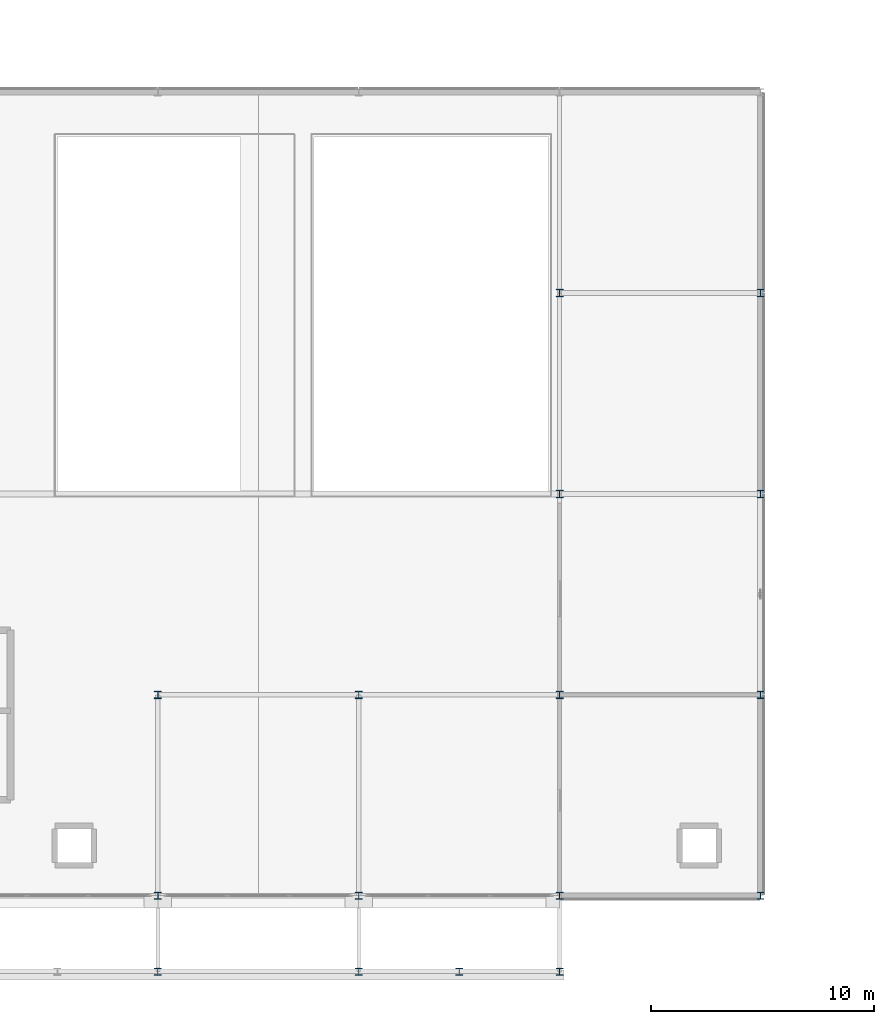
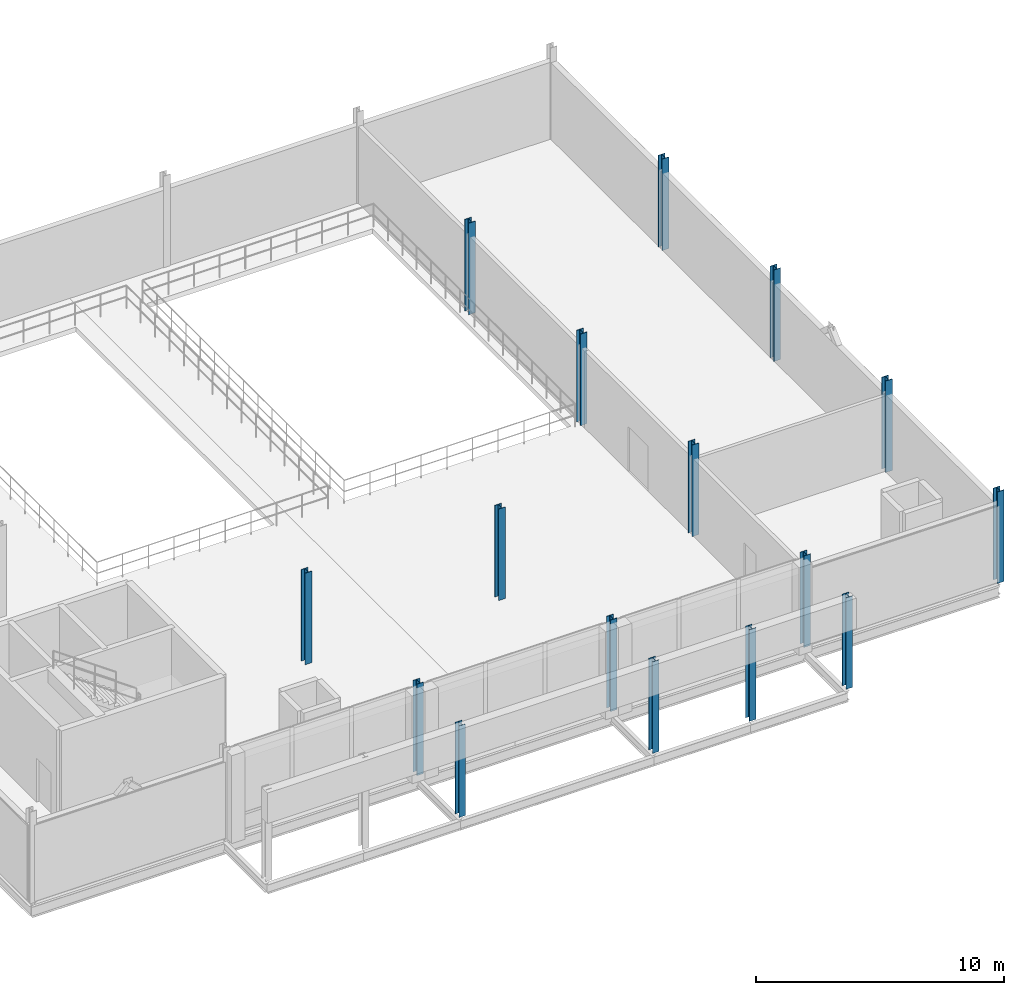
# One storey, part 19 of 130: 16 columns.
"""IFC4 building model written with IfcOpenShell, lengths in metres."""

from ifc_helpers import new_model, si_unit, direction, frame, origin, origin_2d, place, context, subcontext, project, spatial, i_section, extrude, material, material_profile, profile_set, type_object, element, save


model = new_model("IFC4")

# Units and contexts
model_context = context("Model", 3, precision=1e-05, world=origin(), true_north=direction((0.0, 1.0)))
body_context = subcontext(model_context, "Body", "Model", "MODEL_VIEW")
ifc_project = project(units=[si_unit("LENGTHUNIT", "METRE"), si_unit("AREAUNIT", "SQUARE_METRE"), si_unit("VOLUMEUNIT", "CUBIC_METRE"), si_unit("PLANEANGLEUNIT", "RADIAN"), si_unit("MASSUNIT", "GRAM", prefix="KILO"), si_unit("THERMODYNAMICTEMPERATUREUNIT", "KELVIN"), si_unit("POWERUNIT", "WATT")], contexts=[model_context])

# Site, building, storey
site_placement = place(None, origin())
site = spatial("IfcSite", under=ifc_project, at=site_placement, CompositionType="ELEMENT")
building_placement = place(site_placement, origin())
building = spatial("IfcBuilding", under=site, at=building_placement, Name="Tallowbark Science Centre", CompositionType="ELEMENT")
storey_placement = place(building_placement, frame((0.0, 0.0, 5.39990234375)))
storey = spatial("IfcBuildingStorey", under=building, at=storey_placement, Name="L01", CompositionType="ELEMENT", Elevation=5.39990234375)

# Columns
ifc_material = material(Name="Structural Steel Grade 300PLUS (300 MPa)", Category="steel")
ifc_material_profile_1 = material_profile(ifc_material, i_section(OverallWidth=0.311279296875, OverallDepth=0.3271484375, WebThickness=0.015625, FlangeThickness=0.02490234375, FilletRadius=0.0166015625, at=origin_2d()), Name="310UC158")
ifc_profile_set_1 = profile_set([ifc_material_profile_1], Name="Structural Steel Grade 300PLUS (300 MPa)")
column_type_1 = type_object("IfcColumnType", Name="COL-UC310A", PredefinedType="COLUMN", material=ifc_profile_set_1)
for number, where, z_axis, x_axis, name in (
    (1, (130.5, 0.0, 0.0), (0.0, 0.0, 1.0), (1.0, 0.0, 0.0), "Column THT-M2_0 L01"),
    (2, (130.5, 9.0, 0.0), (0.0, 0.0, 1.0), (1.0, 0.0, 0.0), "Column THT-M2_1 L01"),
    (3, (139.5, 0.0, 0.0), (0.0, 0.0, 1.0), (1.0, 0.0, 0.0), "Column THT-M3_0 L01"),
    (4, (139.5, 9.0, 0.0), (0.0, 0.0, 1.0), (1.0, 0.0, 0.0), "Column THT-M3_1 L01"),
    (5, (148.5, 0.0, 0.0), (0.0, 0.0, 1.0), (1.0, 0.0, 0.0), "Column THT-M4_0 L01"),
    (6, (148.5, 9.0, 0.0), (0.0, 0.0, 1.0), (1.0, 0.0, 0.0), "Column THT-M4_1 L01"),
    (7, (148.5, 18.0, 0.0), (0.0, 0.0, 1.0), (1.0, 0.0, 0.0), "Column THT-M4_2 L01"),
    (8, (148.5, 27.0, 0.0), (0.0, 0.0, 1.0), (1.0, 0.0, 0.0), "Column THT-M4_3 L01"),
    (9, (157.5, 0.0, 0.0), (0.0, 0.0, 1.0), (1.0, 0.0, 0.0), "Column THT-M5_0 L01"),
    (10, (157.5, 9.0, 0.0), (0.0, 0.0, 1.0), (1.0, 0.0, 0.0), "Column THT-M5_1 L01"),
    (11, (157.5, 18.0, 0.0), (0.0, 0.0, 1.0), (1.0, 0.0, 0.0), "Column THT-M5_2 L01"),
    (12, (157.5, 27.0, 0.0), (0.0, 0.0, 1.0), (1.0, 0.0, 0.0), "Column THT-M5_3 L01"),
):
    element("IfcColumn", number, at=place(storey_placement, frame(where, z_axis=z_axis, x_axis=x_axis)), inside=storey, type_object=column_type_1, Name=name, PredefinedType="COLUMN", context=body_context, shape_type="SweptSolid", body=[
        extrude(i_section(OverallWidth=0.311279296875, OverallDepth=0.3271484375, WebThickness=0.015625, FlangeThickness=0.02490234375, FilletRadius=0.0166015625, at=origin_2d()), origin(), (0.0, 0.0, 1.0), 4.5),
    ])
ifc_material_profile_2 = material_profile(ifc_material, i_section(OverallWidth=0.307373046875, OverallDepth=0.314697265625, WebThickness=0.011962890625, FlangeThickness=0.018798828125, FilletRadius=0.0166015625, at=origin_2d()), Name="310UC118")
ifc_profile_set_2 = profile_set([ifc_material_profile_2], Name="Structural Steel Grade 300PLUS (300 MPa)")
column_type_2 = type_object("IfcColumnType", Name="PIL-UC310", PredefinedType="PILASTER", material=ifc_profile_set_2)
for number, where, z_axis, x_axis, name in (
    (13, (130.5, -3.39990234375, 0.0), (0.0, 0.0, 1.0), (1.0, 0.0, 0.0), "Column THT-POR-02 L01"),
    (14, (139.5, -3.39990234375, 0.0), (0.0, 0.0, 1.0), (1.0, 0.0, 0.0), "Column THT-POR-03 L01"),
    (15, (144.0, -3.39990234375, 0.0), (0.0, 0.0, 1.0), (1.0, 0.0, 0.0), "Column THT-POR-04 L01"),
    (16, (148.5, -3.39990234375, 0.0), (0.0, 0.0, 1.0), (1.0, 0.0, 0.0), "Column THT-POR-05 L01"),
):
    element("IfcColumn", number, at=place(storey_placement, frame(where, z_axis=z_axis, x_axis=x_axis)), inside=storey, type_object=column_type_2, Name=name, PredefinedType="PILASTER", context=body_context, shape_type="SweptSolid", body=[
        extrude(i_section(OverallWidth=0.307373046875, OverallDepth=0.314697265625, WebThickness=0.011962890625, FlangeThickness=0.018798828125, FilletRadius=0.0166015625, at=origin_2d()), origin(), (0.0, 0.0, 1.0), 4.5),
    ])

save(model, "model.ifc")
